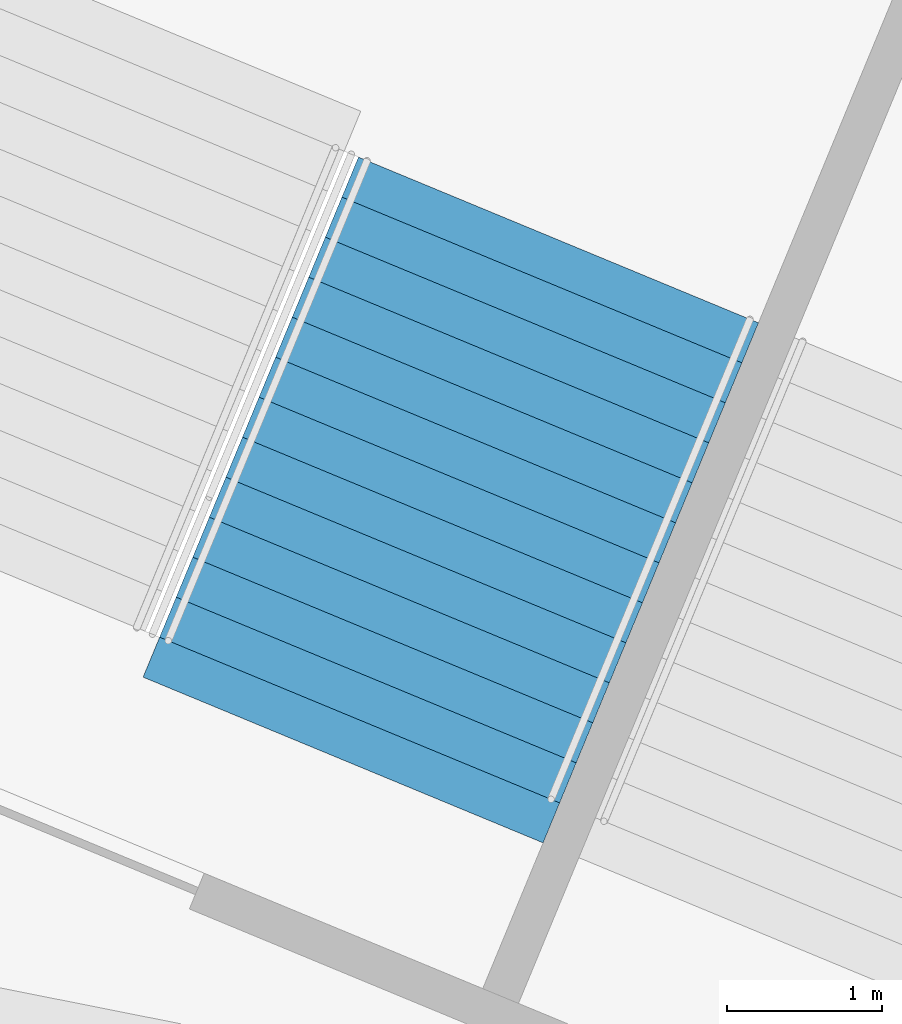
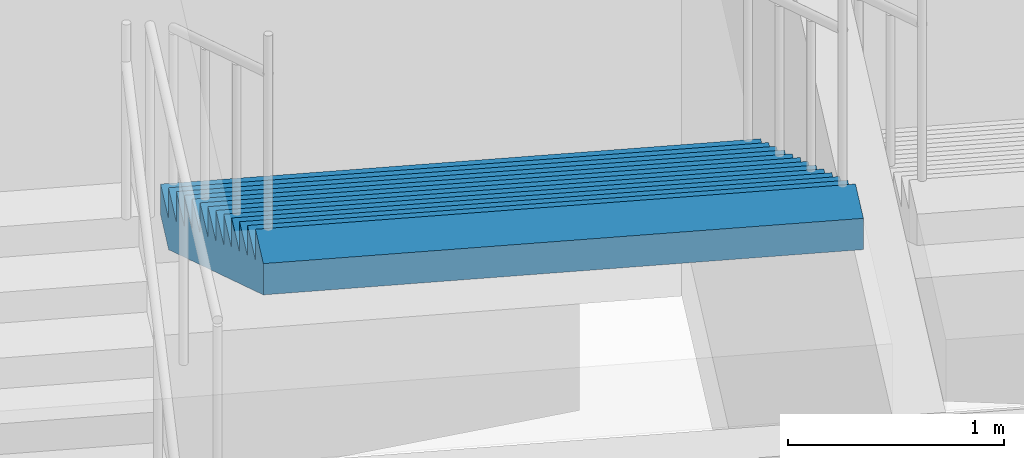
# One storey, part 183 of 199: 1 stair flight, 1 element without a shape of its own.
"""IFC4 building model written with IfcOpenShell, lengths in metres."""

from ifc_helpers import new_model, si_unit, direction, frame, origin, place, context, subcontext, project, spatial, faceted_brep, material, type_object, element, aggregate, save


model = new_model("IFC4")

# Units and contexts
model_context = context("Model", 3, precision=1e-05, world=origin(), true_north=direction((0.0, 1.0)))
body_context = subcontext(model_context, "Body", "Model", "MODEL_VIEW")
ifc_project = project(units=[si_unit("LENGTHUNIT", "METRE"), si_unit("AREAUNIT", "SQUARE_METRE"), si_unit("VOLUMEUNIT", "CUBIC_METRE"), si_unit("PLANEANGLEUNIT", "RADIAN"), si_unit("MASSUNIT", "GRAM", prefix="KILO")], contexts=[model_context])

# Site, building, storey
site_placement = place(None, origin())
site = spatial("IfcSite", under=ifc_project, at=site_placement, CompositionType="ELEMENT")
building_placement = place(site_placement, origin())
building = spatial("IfcBuilding", under=site, at=building_placement, Name="Ogive Plaza Stadium", CompositionType="ELEMENT")
storey_placement = place(building_placement, frame((0.0, 0.0, 4.5)))
storey = spatial("IfcBuildingStorey", under=building, at=storey_placement, Name="L01", CompositionType="ELEMENT", Elevation=4.5)

# Stair, stair flight
ifc_material_1 = material(Name="Concrete C40/50", Category="concrete")
stair_type = type_object("IfcStairType", Name="Exit stair", PredefinedType="STRAIGHT_RUN_STAIR", material=ifc_material_1)
stair_placement = place(storey_placement, origin())
stair = element("IfcStair", 1, at=stair_placement, inside=storey, type_object=stair_type, Name="Exit stair ST38B L01 to L02", PredefinedType="STRAIGHT_RUN_STAIR")
ifc_material_2 = material(Name="Concrete C40/50", Category="concrete")
stair_flight_type = type_object("IfcStairFlightType", Name="Exit stair flight", PredefinedType="STRAIGHT", material=ifc_material_2)
stair_flight_placement = place(storey_placement, frame((50.08349609375, 95.314208984375, 2.25), z_axis=(0.0, 0.0, 1.0), x_axis=(-0.382683432365, -0.923879532511, 0.0)))
stair_flight = element("IfcStairFlight", 2, at=stair_flight_placement, type_object=stair_flight_type, Name="ST38B flight 2", NumberOfRisers=13, NumberOfTreads=12, PredefinedType="STRAIGHT", RiserHeight=0.173076923, TreadLength=0.28, context=body_context, shape_type="Brep", body=[
    faceted_brep([(0.28515625, -1.39990234375, 0.0), (3.639892578125, -1.39990234375, 2.07373046875), (3.639892578125, -1.39990234375, 2.25), (3.360107421875, -1.39990234375, 2.25), (3.360107421875, -1.39990234375, 2.076904296875), (3.080078125, -1.39990234375, 2.076904296875), (3.080078125, -1.39990234375, 1.90380859375), (2.800048828125, -1.39990234375, 1.90380859375), (2.800048828125, -1.39990234375, 1.730712890625), (2.52001953125, -1.39990234375, 1.730712890625), (2.52001953125, -1.39990234375, 1.5576171875), (2.239990234375, -1.39990234375, 1.5576171875), (2.239990234375, -1.39990234375, 1.384521484375), (1.9599609375, -1.39990234375, 1.384521484375), (1.9599609375, -1.39990234375, 1.21142578125), (1.679931640625, -1.39990234375, 1.21142578125), (1.679931640625, -1.39990234375, 1.03857421875), (1.39990234375, -1.39990234375, 1.03857421875), (1.39990234375, -1.39990234375, 0.865478515625), (1.1201171875, -1.39990234375, 0.865478515625), (1.1201171875, -1.39990234375, 0.6923828125), (0.840087890625, -1.39990234375, 0.6923828125), (0.840087890625, -1.39990234375, 0.519287109375), (0.56005859375, -1.39990234375, 0.519287109375), (0.56005859375, -1.39990234375, 0.34619140625), (0.280029296875, -1.39990234375, 0.34619140625), (0.280029296875, -1.39990234375, 0.173095703125), (0.0, -1.39990234375, 0.173095703125), (0.0, -1.39990234375, 0.0), (0.0, 1.39990234375, 0.0), (0.0, 1.39990234375, 0.173095703125), (0.280029296875, 1.39990234375, 0.173095703125), (0.280029296875, 1.39990234375, 0.34619140625), (0.56005859375, 1.39990234375, 0.34619140625), (0.56005859375, 1.39990234375, 0.519287109375), (0.840087890625, 1.39990234375, 0.519287109375), (0.840087890625, 1.39990234375, 0.6923828125), (1.1201171875, 1.39990234375, 0.6923828125), (1.1201171875, 1.39990234375, 0.865478515625), (1.39990234375, 1.39990234375, 0.865478515625), (1.39990234375, 1.39990234375, 1.03857421875), (1.679931640625, 1.39990234375, 1.03857421875), (1.679931640625, 1.39990234375, 1.21142578125), (1.9599609375, 1.39990234375, 1.21142578125), (1.9599609375, 1.39990234375, 1.384521484375), (2.239990234375, 1.39990234375, 1.384521484375), (2.239990234375, 1.39990234375, 1.5576171875), (2.52001953125, 1.39990234375, 1.5576171875), (2.52001953125, 1.39990234375, 1.730712890625), (2.800048828125, 1.39990234375, 1.730712890625), (2.800048828125, 1.39990234375, 1.90380859375), (3.080078125, 1.39990234375, 1.90380859375), (3.080078125, 1.39990234375, 2.076904296875), (3.360107421875, 1.39990234375, 2.076904296875), (3.360107421875, 1.39990234375, 2.25), (3.639892578125, 1.39990234375, 2.25), (3.639892578125, 1.39990234375, 2.07373046875), (0.28515625, 1.39990234375, 0.0), (0.28515625, -1.0888671875, 0.0), (3.639892578125, -1.0888671875, 2.07373046875), (0.28515625, -0.77783203125, 0.0), (3.639892578125, -0.77783203125, 2.07373046875), (0.28515625, -0.466796875, 0.0), (3.639892578125, -0.466796875, 2.07373046875), (0.28515625, -0.155517578125, 0.0), (3.639892578125, -0.155517578125, 2.07373046875), (0.28515625, 0.155517578125, 0.0), (3.639892578125, 0.155517578125, 2.07373046875), (0.28515625, 0.466796875, 0.0), (3.639892578125, 0.466796875, 2.07373046875), (0.28515625, 0.77783203125, 0.0), (3.639892578125, 0.77783203125, 2.07373046875), (0.28515625, 1.0888671875, 0.0), (3.639892578125, 1.0888671875, 2.07373046875), (3.639892578125, -1.0888671875, 2.25), (3.639892578125, -0.77783203125, 2.25), (3.639892578125, -0.466796875, 2.25), (3.639892578125, -0.155517578125, 2.25), (3.639892578125, 0.155517578125, 2.25), (3.639892578125, 0.466796875, 2.25), (3.639892578125, 0.77783203125, 2.25), (3.639892578125, 1.0888671875, 2.25), (3.360107421875, -1.0888671875, 2.25), (3.360107421875, -0.77783203125, 2.25), (3.360107421875, -0.466796875, 2.25), (3.360107421875, -0.155517578125, 2.25), (3.360107421875, 0.155517578125, 2.25), (3.360107421875, 0.466796875, 2.25), (3.360107421875, 0.77783203125, 2.25), (3.360107421875, 1.0888671875, 2.25), (3.360107421875, -1.0888671875, 2.076904296875), (3.360107421875, -0.77783203125, 2.076904296875), (3.360107421875, -0.466796875, 2.076904296875), (3.360107421875, -0.155517578125, 2.076904296875), (3.360107421875, 0.155517578125, 2.076904296875), (3.360107421875, 0.466796875, 2.076904296875), (3.360107421875, 0.77783203125, 2.076904296875), (3.360107421875, 1.0888671875, 2.076904296875), (3.080078125, -1.0888671875, 2.076904296875), (3.080078125, -0.77783203125, 2.076904296875), (3.080078125, -0.466796875, 2.076904296875), (3.080078125, -0.155517578125, 2.076904296875), (3.080078125, 0.155517578125, 2.076904296875), (3.080078125, 0.466796875, 2.076904296875), (3.080078125, 0.77783203125, 2.076904296875), (3.080078125, 1.0888671875, 2.076904296875), (3.080078125, -1.0888671875, 1.90380859375), (3.080078125, -0.77783203125, 1.90380859375), (3.080078125, -0.466796875, 1.90380859375), (3.080078125, -0.155517578125, 1.90380859375), (3.080078125, 0.155517578125, 1.90380859375), (3.080078125, 0.466796875, 1.90380859375), (3.080078125, 0.77783203125, 1.90380859375), (3.080078125, 1.0888671875, 1.90380859375), (2.800048828125, -1.0888671875, 1.90380859375), (2.800048828125, -0.77783203125, 1.90380859375), (2.800048828125, -0.466796875, 1.90380859375), (2.800048828125, -0.155517578125, 1.90380859375), (2.800048828125, 0.155517578125, 1.90380859375), (2.800048828125, 0.466796875, 1.90380859375), (2.800048828125, 0.77783203125, 1.90380859375), (2.800048828125, 1.0888671875, 1.90380859375), (2.800048828125, -1.0888671875, 1.730712890625), (2.800048828125, -0.77783203125, 1.730712890625), (2.800048828125, -0.466796875, 1.730712890625), (2.800048828125, -0.155517578125, 1.730712890625), (2.800048828125, 0.155517578125, 1.730712890625), (2.800048828125, 0.466796875, 1.730712890625), (2.800048828125, 0.77783203125, 1.730712890625), (2.800048828125, 1.0888671875, 1.730712890625), (2.52001953125, -1.0888671875, 1.730712890625), (2.52001953125, -0.77783203125, 1.730712890625), (2.52001953125, -0.466796875, 1.730712890625), (2.52001953125, -0.155517578125, 1.730712890625), (2.52001953125, 0.155517578125, 1.730712890625), (2.52001953125, 0.466796875, 1.730712890625), (2.52001953125, 0.77783203125, 1.730712890625), (2.52001953125, 1.0888671875, 1.730712890625), (2.52001953125, -1.0888671875, 1.5576171875), (2.52001953125, -0.77783203125, 1.5576171875), (2.52001953125, -0.466796875, 1.5576171875), (2.52001953125, -0.155517578125, 1.5576171875), (2.52001953125, 0.155517578125, 1.5576171875), (2.52001953125, 0.466796875, 1.5576171875), (2.52001953125, 0.77783203125, 1.5576171875), (2.52001953125, 1.0888671875, 1.5576171875), (2.239990234375, -1.0888671875, 1.5576171875), (2.239990234375, -0.77783203125, 1.5576171875), (2.239990234375, -0.466796875, 1.5576171875), (2.239990234375, -0.155517578125, 1.5576171875), (2.239990234375, 0.155517578125, 1.5576171875), (2.239990234375, 0.466796875, 1.5576171875), (2.239990234375, 0.77783203125, 1.5576171875), (2.239990234375, 1.0888671875, 1.5576171875), (2.239990234375, -1.0888671875, 1.384521484375), (2.239990234375, -0.77783203125, 1.384521484375), (2.239990234375, -0.466796875, 1.384521484375), (2.239990234375, -0.155517578125, 1.384521484375), (2.239990234375, 0.155517578125, 1.384521484375), (2.239990234375, 0.466796875, 1.384521484375), (2.239990234375, 0.77783203125, 1.384521484375), (2.239990234375, 1.0888671875, 1.384521484375), (1.9599609375, -1.0888671875, 1.384521484375), (1.9599609375, -0.77783203125, 1.384521484375), (1.9599609375, -0.466796875, 1.384521484375), (1.9599609375, -0.155517578125, 1.384521484375), (1.9599609375, 0.155517578125, 1.384521484375), (1.9599609375, 0.466796875, 1.384521484375), (1.9599609375, 0.77783203125, 1.384521484375), (1.9599609375, 1.0888671875, 1.384521484375), (1.9599609375, -1.0888671875, 1.21142578125), (1.9599609375, -0.77783203125, 1.21142578125), (1.9599609375, -0.466796875, 1.21142578125), (1.9599609375, -0.155517578125, 1.21142578125), (1.9599609375, 0.155517578125, 1.21142578125), (1.9599609375, 0.466796875, 1.21142578125), (1.9599609375, 0.77783203125, 1.21142578125), (1.9599609375, 1.0888671875, 1.21142578125), (1.679931640625, -1.0888671875, 1.21142578125), (1.679931640625, -0.77783203125, 1.21142578125), (1.679931640625, -0.466796875, 1.21142578125), (1.679931640625, -0.155517578125, 1.21142578125), (1.679931640625, 0.155517578125, 1.21142578125), (1.679931640625, 0.466796875, 1.21142578125), (1.679931640625, 0.77783203125, 1.21142578125), (1.679931640625, 1.0888671875, 1.21142578125), (1.679931640625, -1.0888671875, 1.03857421875), (1.679931640625, -0.77783203125, 1.03857421875), (1.679931640625, -0.466796875, 1.03857421875), (1.679931640625, -0.155517578125, 1.03857421875), (1.679931640625, 0.155517578125, 1.03857421875), (1.679931640625, 0.466796875, 1.03857421875), (1.679931640625, 0.77783203125, 1.03857421875), (1.679931640625, 1.0888671875, 1.03857421875), (1.39990234375, -1.0888671875, 1.03857421875), (1.39990234375, -0.77783203125, 1.03857421875), (1.39990234375, -0.466796875, 1.03857421875), (1.39990234375, -0.155517578125, 1.03857421875), (1.39990234375, 0.155517578125, 1.03857421875), (1.39990234375, 0.466796875, 1.03857421875), (1.39990234375, 0.77783203125, 1.03857421875), (1.39990234375, 1.0888671875, 1.03857421875), (1.39990234375, -1.0888671875, 0.865478515625), (1.39990234375, -0.77783203125, 0.865478515625), (1.39990234375, -0.466796875, 0.865478515625), (1.39990234375, -0.155517578125, 0.865478515625), (1.39990234375, 0.155517578125, 0.865478515625), (1.39990234375, 0.466796875, 0.865478515625), (1.39990234375, 0.77783203125, 0.865478515625), (1.39990234375, 1.0888671875, 0.865478515625), (1.1201171875, -1.0888671875, 0.865478515625), (1.1201171875, -0.77783203125, 0.865478515625), (1.1201171875, -0.466796875, 0.865478515625), (1.1201171875, -0.155517578125, 0.865478515625), (1.1201171875, 0.155517578125, 0.865478515625), (1.1201171875, 0.466796875, 0.865478515625), (1.1201171875, 0.77783203125, 0.865478515625), (1.1201171875, 1.0888671875, 0.865478515625), (1.1201171875, -1.0888671875, 0.6923828125), (1.1201171875, -0.77783203125, 0.6923828125), (1.1201171875, -0.466796875, 0.6923828125), (1.1201171875, -0.155517578125, 0.6923828125), (1.1201171875, 0.155517578125, 0.6923828125), (1.1201171875, 0.466796875, 0.6923828125), (1.1201171875, 0.77783203125, 0.6923828125), (1.1201171875, 1.0888671875, 0.6923828125), (0.840087890625, -1.0888671875, 0.6923828125), (0.840087890625, -0.77783203125, 0.6923828125), (0.840087890625, -0.466796875, 0.6923828125), (0.840087890625, -0.155517578125, 0.6923828125), (0.840087890625, 0.155517578125, 0.6923828125), (0.840087890625, 0.466796875, 0.6923828125), (0.840087890625, 0.77783203125, 0.6923828125), (0.840087890625, 1.0888671875, 0.6923828125), (0.840087890625, -1.0888671875, 0.519287109375), (0.840087890625, -0.77783203125, 0.519287109375), (0.840087890625, -0.466796875, 0.519287109375), (0.840087890625, -0.155517578125, 0.519287109375), (0.840087890625, 0.155517578125, 0.519287109375), (0.840087890625, 0.466796875, 0.519287109375), (0.840087890625, 0.77783203125, 0.519287109375), (0.840087890625, 1.0888671875, 0.519287109375), (0.56005859375, -1.0888671875, 0.519287109375), (0.56005859375, -0.77783203125, 0.519287109375), (0.56005859375, -0.466796875, 0.519287109375), (0.56005859375, -0.155517578125, 0.519287109375), (0.56005859375, 0.155517578125, 0.519287109375), (0.56005859375, 0.466796875, 0.519287109375), (0.56005859375, 0.77783203125, 0.519287109375), (0.56005859375, 1.0888671875, 0.519287109375), (0.56005859375, -1.0888671875, 0.34619140625), (0.56005859375, -0.77783203125, 0.34619140625), (0.56005859375, -0.466796875, 0.34619140625), (0.56005859375, -0.155517578125, 0.34619140625), (0.56005859375, 0.155517578125, 0.34619140625), (0.56005859375, 0.466796875, 0.34619140625), (0.56005859375, 0.77783203125, 0.34619140625), (0.56005859375, 1.0888671875, 0.34619140625), (0.280029296875, -1.0888671875, 0.34619140625), (0.280029296875, -0.77783203125, 0.34619140625), (0.280029296875, -0.466796875, 0.34619140625), (0.280029296875, -0.155517578125, 0.34619140625), (0.280029296875, 0.155517578125, 0.34619140625), (0.280029296875, 0.466796875, 0.34619140625), (0.280029296875, 0.77783203125, 0.34619140625), (0.280029296875, 1.0888671875, 0.34619140625), (0.280029296875, -1.0888671875, 0.173095703125), (0.280029296875, -0.77783203125, 0.173095703125), (0.280029296875, -0.466796875, 0.173095703125), (0.280029296875, -0.155517578125, 0.173095703125), (0.280029296875, 0.155517578125, 0.173095703125), (0.280029296875, 0.466796875, 0.173095703125), (0.280029296875, 0.77783203125, 0.173095703125), (0.280029296875, 1.0888671875, 0.173095703125), (0.0, -1.0888671875, 0.173095703125), (0.0, -0.77783203125, 0.173095703125), (0.0, -0.466796875, 0.173095703125), (0.0, -0.155517578125, 0.173095703125), (0.0, 0.155517578125, 0.173095703125), (0.0, 0.466796875, 0.173095703125), (0.0, 0.77783203125, 0.173095703125), (0.0, 1.0888671875, 0.173095703125), (0.0, -1.0888671875, 0.0), (0.0, -0.77783203125, 0.0), (0.0, -0.466796875, 0.0), (0.0, -0.155517578125, 0.0), (0.0, 0.155517578125, 0.0), (0.0, 0.466796875, 0.0), (0.0, 0.77783203125, 0.0), (0.0, 1.0888671875, 0.0)], [[[0, 1, 2, 3, 4, 5, 6, 7, 8, 9, 10, 11, 12, 13, 14, 15, 16, 17, 18, 19, 20, 21, 22, 23, 24, 25, 26, 27, 28]], [[29, 30, 31, 32, 33, 34, 35, 36, 37, 38, 39, 40, 41, 42, 43, 44, 45, 46, 47, 48, 49, 50, 51, 52, 53, 54, 55, 56, 57]], [[0, 58, 59, 1]], [[58, 60, 61, 59]], [[60, 62, 63, 61]], [[62, 64, 65, 63]], [[64, 66, 67, 65]], [[66, 68, 69, 67]], [[68, 70, 71, 69]], [[70, 72, 73, 71]], [[72, 57, 56, 73]], [[1, 59, 74, 2]], [[59, 61, 75, 74]], [[61, 63, 76, 75]], [[63, 65, 77, 76]], [[65, 67, 78, 77]], [[67, 69, 79, 78]], [[69, 71, 80, 79]], [[71, 73, 81, 80]], [[73, 56, 55, 81]], [[2, 74, 82, 3]], [[74, 75, 83, 82]], [[75, 76, 84, 83]], [[76, 77, 85, 84]], [[77, 78, 86, 85]], [[78, 79, 87, 86]], [[79, 80, 88, 87]], [[80, 81, 89, 88]], [[81, 55, 54, 89]], [[3, 82, 90, 4]], [[82, 83, 91, 90]], [[83, 84, 92, 91]], [[84, 85, 93, 92]], [[85, 86, 94, 93]], [[86, 87, 95, 94]], [[87, 88, 96, 95]], [[88, 89, 97, 96]], [[89, 54, 53, 97]], [[4, 90, 98, 5]], [[90, 91, 99, 98]], [[91, 92, 100, 99]], [[92, 93, 101, 100]], [[93, 94, 102, 101]], [[94, 95, 103, 102]], [[95, 96, 104, 103]], [[96, 97, 105, 104]], [[97, 53, 52, 105]], [[5, 98, 106, 6]], [[98, 99, 107, 106]], [[99, 100, 108, 107]], [[100, 101, 109, 108]], [[101, 102, 110, 109]], [[102, 103, 111, 110]], [[103, 104, 112, 111]], [[104, 105, 113, 112]], [[105, 52, 51, 113]], [[6, 106, 114, 7]], [[106, 107, 115, 114]], [[107, 108, 116, 115]], [[108, 109, 117, 116]], [[109, 110, 118, 117]], [[110, 111, 119, 118]], [[111, 112, 120, 119]], [[112, 113, 121, 120]], [[113, 51, 50, 121]], [[7, 114, 122, 8]], [[114, 115, 123, 122]], [[115, 116, 124, 123]], [[116, 117, 125, 124]], [[117, 118, 126, 125]], [[118, 119, 127, 126]], [[119, 120, 128, 127]], [[120, 121, 129, 128]], [[121, 50, 49, 129]], [[8, 122, 130, 9]], [[122, 123, 131, 130]], [[123, 124, 132, 131]], [[124, 125, 133, 132]], [[125, 126, 134, 133]], [[126, 127, 135, 134]], [[127, 128, 136, 135]], [[128, 129, 137, 136]], [[129, 49, 48, 137]], [[9, 130, 138, 10]], [[130, 131, 139, 138]], [[131, 132, 140, 139]], [[132, 133, 141, 140]], [[133, 134, 142, 141]], [[134, 135, 143, 142]], [[135, 136, 144, 143]], [[136, 137, 145, 144]], [[137, 48, 47, 145]], [[10, 138, 146, 11]], [[138, 139, 147, 146]], [[139, 140, 148, 147]], [[140, 141, 149, 148]], [[141, 142, 150, 149]], [[142, 143, 151, 150]], [[143, 144, 152, 151]], [[144, 145, 153, 152]], [[145, 47, 46, 153]], [[11, 146, 154, 12]], [[146, 147, 155, 154]], [[147, 148, 156, 155]], [[148, 149, 157, 156]], [[149, 150, 158, 157]], [[150, 151, 159, 158]], [[151, 152, 160, 159]], [[152, 153, 161, 160]], [[153, 46, 45, 161]], [[12, 154, 162, 13]], [[154, 155, 163, 162]], [[155, 156, 164, 163]], [[156, 157, 165, 164]], [[157, 158, 166, 165]], [[158, 159, 167, 166]], [[159, 160, 168, 167]], [[160, 161, 169, 168]], [[161, 45, 44, 169]], [[13, 162, 170, 14]], [[162, 163, 171, 170]], [[163, 164, 172, 171]], [[164, 165, 173, 172]], [[165, 166, 174, 173]], [[166, 167, 175, 174]], [[167, 168, 176, 175]], [[168, 169, 177, 176]], [[169, 44, 43, 177]], [[14, 170, 178, 15]], [[170, 171, 179, 178]], [[171, 172, 180, 179]], [[172, 173, 181, 180]], [[173, 174, 182, 181]], [[174, 175, 183, 182]], [[175, 176, 184, 183]], [[176, 177, 185, 184]], [[177, 43, 42, 185]], [[15, 178, 186, 16]], [[178, 179, 187, 186]], [[179, 180, 188, 187]], [[180, 181, 189, 188]], [[181, 182, 190, 189]], [[182, 183, 191, 190]], [[183, 184, 192, 191]], [[184, 185, 193, 192]], [[185, 42, 41, 193]], [[16, 186, 194, 17]], [[186, 187, 195, 194]], [[187, 188, 196, 195]], [[188, 189, 197, 196]], [[189, 190, 198, 197]], [[190, 191, 199, 198]], [[191, 192, 200, 199]], [[192, 193, 201, 200]], [[193, 41, 40, 201]], [[17, 194, 202, 18]], [[194, 195, 203, 202]], [[195, 196, 204, 203]], [[196, 197, 205, 204]], [[197, 198, 206, 205]], [[198, 199, 207, 206]], [[199, 200, 208, 207]], [[200, 201, 209, 208]], [[201, 40, 39, 209]], [[18, 202, 210, 19]], [[202, 203, 211, 210]], [[203, 204, 212, 211]], [[204, 205, 213, 212]], [[205, 206, 214, 213]], [[206, 207, 215, 214]], [[207, 208, 216, 215]], [[208, 209, 217, 216]], [[209, 39, 38, 217]], [[19, 210, 218, 20]], [[210, 211, 219, 218]], [[211, 212, 220, 219]], [[212, 213, 221, 220]], [[213, 214, 222, 221]], [[214, 215, 223, 222]], [[215, 216, 224, 223]], [[216, 217, 225, 224]], [[217, 38, 37, 225]], [[20, 218, 226, 21]], [[218, 219, 227, 226]], [[219, 220, 228, 227]], [[220, 221, 229, 228]], [[221, 222, 230, 229]], [[222, 223, 231, 230]], [[223, 224, 232, 231]], [[224, 225, 233, 232]], [[225, 37, 36, 233]], [[21, 226, 234, 22]], [[226, 227, 235, 234]], [[227, 228, 236, 235]], [[228, 229, 237, 236]], [[229, 230, 238, 237]], [[230, 231, 239, 238]], [[231, 232, 240, 239]], [[232, 233, 241, 240]], [[233, 36, 35, 241]], [[22, 234, 242, 23]], [[234, 235, 243, 242]], [[235, 236, 244, 243]], [[236, 237, 245, 244]], [[237, 238, 246, 245]], [[238, 239, 247, 246]], [[239, 240, 248, 247]], [[240, 241, 249, 248]], [[241, 35, 34, 249]], [[23, 242, 250, 24]], [[242, 243, 251, 250]], [[243, 244, 252, 251]], [[244, 245, 253, 252]], [[245, 246, 254, 253]], [[246, 247, 255, 254]], [[247, 248, 256, 255]], [[248, 249, 257, 256]], [[249, 34, 33, 257]], [[24, 250, 258, 25]], [[250, 251, 259, 258]], [[251, 252, 260, 259]], [[252, 253, 261, 260]], [[253, 254, 262, 261]], [[254, 255, 263, 262]], [[255, 256, 264, 263]], [[256, 257, 265, 264]], [[257, 33, 32, 265]], [[25, 258, 266, 26]], [[258, 259, 267, 266]], [[259, 260, 268, 267]], [[260, 261, 269, 268]], [[261, 262, 270, 269]], [[262, 263, 271, 270]], [[263, 264, 272, 271]], [[264, 265, 273, 272]], [[265, 32, 31, 273]], [[26, 266, 274, 27]], [[266, 267, 275, 274]], [[267, 268, 276, 275]], [[268, 269, 277, 276]], [[269, 270, 278, 277]], [[270, 271, 279, 278]], [[271, 272, 280, 279]], [[272, 273, 281, 280]], [[273, 31, 30, 281]], [[27, 274, 282, 28]], [[274, 275, 283, 282]], [[275, 276, 284, 283]], [[276, 277, 285, 284]], [[277, 278, 286, 285]], [[278, 279, 287, 286]], [[279, 280, 288, 287]], [[280, 281, 289, 288]], [[281, 30, 29, 289]], [[28, 282, 58, 0]], [[282, 283, 60, 58]], [[283, 284, 62, 60]], [[284, 285, 64, 62]], [[285, 286, 66, 64]], [[286, 287, 68, 66]], [[287, 288, 70, 68]], [[288, 289, 72, 70]], [[289, 29, 57, 72]]]),
])
aggregate(stair, [stair_flight])

save(model, "model.ifc")
